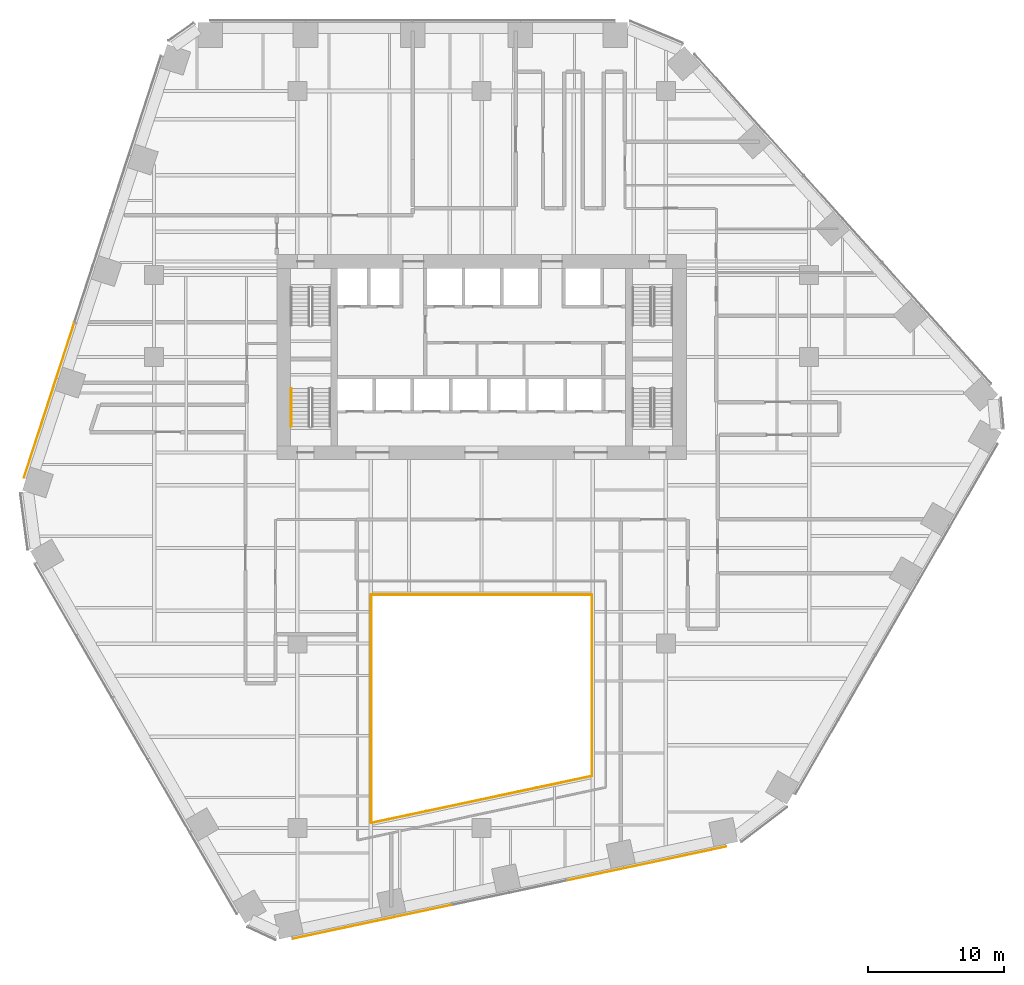
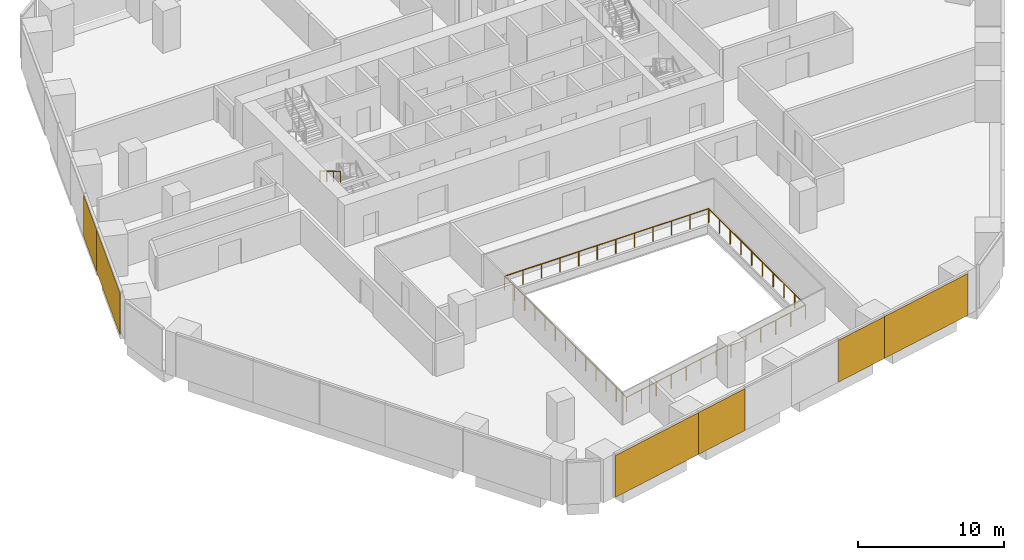
# One storey, part 18 of 21: 6 coverings, 5 railings, 2 elements without a shape of their own.
"""IFC4 building model written with IfcOpenShell, lengths in metres."""

from ifc_helpers import new_model, si_unit, direction, frame, origin, origin_2d, place, context, subcontext, project, spatial, rectangle, circle, extrude, material, layer, layer_set, type_object, element, aggregate, save


model = new_model("IFC4")

# Units and contexts
model_context = context("Model", 3, precision=1e-05, world=origin(), true_north=direction((0.0, 1.0)))
body_context = subcontext(model_context, "Body", "Model", "MODEL_VIEW")
ifc_project = project(units=[si_unit("LENGTHUNIT", "METRE"), si_unit("AREAUNIT", "SQUARE_METRE"), si_unit("VOLUMEUNIT", "CUBIC_METRE"), si_unit("PLANEANGLEUNIT", "RADIAN"), si_unit("MASSUNIT", "GRAM", prefix="KILO")], contexts=[model_context])

# Site, building, storey
site_placement = place(None, origin())
site = spatial("IfcSite", under=ifc_project, at=site_placement, CompositionType="ELEMENT")
building_placement = place(site_placement, origin())
building = spatial("IfcBuilding", under=site, at=building_placement, Name="Isthmus Gate Tower", CompositionType="ELEMENT")
storey_placement = place(building_placement, frame((0.0, 0.0, 50.60009765625)))
storey = spatial("IfcBuildingStorey", under=building, at=storey_placement, Name="L10", CompositionType="ELEMENT", Elevation=50.60009765625)

# Railings
ifc_material_1 = material(Name="Laminated toughened glass balustrade with steel rail", Category="steel")
railing_type_1 = type_object("IfcRailingType", Name="ATRIUM GUARD GLASS BALUSTRADE 1200", PredefinedType="GUARDRAIL", material=ifc_material_1)
railing_1_placement = place(storey_placement, frame((-8.080078125, -26.642822265625, 0.0)))
element("IfcRailing", 1, at=railing_1_placement, inside=storey, type_object=railing_type_1, Name="L10 atrium guard", PredefinedType="GUARDRAIL", context=body_context, shape_type="SweptSolid", body=[
    extrude(circle(Radius=0.02490234375, at=origin_2d()), frame((0.0, 0.0, 1.1748046875), z_axis=(0.0, 1.0, 0.0), x_axis=(-1.0, 0.0, 0.0)), (0.0, 0.0, 1.0), 16.722900390625),
    extrude(circle(Radius=0.02490234375, at=origin_2d()), origin(), (0.0, 0.0, 1.0), 1.14990234375),
    extrude(circle(Radius=0.02490234375, at=origin_2d()), frame((0.0, 1.3935546875, 0.0)), (0.0, 0.0, 1.0), 1.14990234375),
    extrude(circle(Radius=0.02490234375, at=origin_2d()), frame((0.0, 2.787109375, 0.0)), (0.0, 0.0, 1.0), 1.14990234375),
    extrude(circle(Radius=0.02490234375, at=origin_2d()), frame((0.0, 4.1806640625, 0.0)), (0.0, 0.0, 1.0), 1.14990234375),
    extrude(circle(Radius=0.02490234375, at=origin_2d()), frame((0.0, 5.57421875, 0.0)), (0.0, 0.0, 1.0), 1.14990234375),
    extrude(circle(Radius=0.02490234375, at=origin_2d()), frame((0.0, 6.9677734375, 0.0)), (0.0, 0.0, 1.0), 1.14990234375),
    extrude(circle(Radius=0.02490234375, at=origin_2d()), frame((0.0, 8.361328125, 0.0)), (0.0, 0.0, 1.0), 1.14990234375),
    extrude(circle(Radius=0.02490234375, at=origin_2d()), frame((0.0, 9.755126953125, 0.0)), (0.0, 0.0, 1.0), 1.14990234375),
    extrude(circle(Radius=0.02490234375, at=origin_2d()), frame((0.0, 11.148681640625, 0.0)), (0.0, 0.0, 1.0), 1.14990234375),
    extrude(circle(Radius=0.02490234375, at=origin_2d()), frame((0.0, 12.542236328125, 0.0)), (0.0, 0.0, 1.0), 1.14990234375),
    extrude(circle(Radius=0.02490234375, at=origin_2d()), frame((0.0, 13.935791015625, 0.0)), (0.0, 0.0, 1.0), 1.14990234375),
    extrude(circle(Radius=0.02490234375, at=origin_2d()), frame((0.0, 15.329345703125, 0.0)), (0.0, 0.0, 1.0), 1.14990234375),
    extrude(circle(Radius=0.02490234375, at=origin_2d()), frame((0.0, 16.722900390625, 0.0)), (0.0, 0.0, 1.0), 1.14990234375),
])
railing_2_placement = place(storey_placement, frame((-8.080078125, -9.919921875, 0.0)))
element("IfcRailing", 2, at=railing_2_placement, inside=storey, type_object=railing_type_1, Name="L10 atrium guard", PredefinedType="GUARDRAIL", context=body_context, shape_type="SweptSolid", body=[
    extrude(circle(Radius=0.02490234375, at=origin_2d()), frame((0.0, 0.0, 1.1748046875), z_axis=(1.0, 0.0, 0.0), x_axis=(0.0, 1.0, 0.0)), (0.0, 0.0, 1.0), 16.16015625),
    extrude(circle(Radius=0.02490234375, at=origin_2d()), origin(), (0.0, 0.0, 1.0), 1.14990234375),
    extrude(circle(Radius=0.02490234375, at=origin_2d()), frame((1.468994140625, 0.0, 0.0)), (0.0, 0.0, 1.0), 1.14990234375),
    extrude(circle(Radius=0.02490234375, at=origin_2d()), frame((2.938232421875, 0.0, 0.0)), (0.0, 0.0, 1.0), 1.14990234375),
    extrude(circle(Radius=0.02490234375, at=origin_2d()), frame((4.4072265625, 0.0, 0.0)), (0.0, 0.0, 1.0), 1.14990234375),
    extrude(circle(Radius=0.02490234375, at=origin_2d()), frame((5.87646484375, 0.0, 0.0)), (0.0, 0.0, 1.0), 1.14990234375),
    extrude(circle(Radius=0.02490234375, at=origin_2d()), frame((7.345458984375, 0.0, 0.0)), (0.0, 0.0, 1.0), 1.14990234375),
    extrude(circle(Radius=0.02490234375, at=origin_2d()), frame((8.814697265625, 0.0, 0.0)), (0.0, 0.0, 1.0), 1.14990234375),
    extrude(circle(Radius=0.02490234375, at=origin_2d()), frame((10.28369140625, 0.0, 0.0)), (0.0, 0.0, 1.0), 1.14990234375),
    extrude(circle(Radius=0.02490234375, at=origin_2d()), frame((11.7529296875, 0.0, 0.0)), (0.0, 0.0, 1.0), 1.14990234375),
    extrude(circle(Radius=0.02490234375, at=origin_2d()), frame((13.221923828125, 0.0, 0.0)), (0.0, 0.0, 1.0), 1.14990234375),
    extrude(circle(Radius=0.02490234375, at=origin_2d()), frame((14.691162109375, 0.0, 0.0)), (0.0, 0.0, 1.0), 1.14990234375),
    extrude(circle(Radius=0.02490234375, at=origin_2d()), frame((16.16015625, 0.0, 0.0)), (0.0, 0.0, 1.0), 1.14990234375),
])
railing_3_placement = place(storey_placement, frame((8.080078125, -9.919921875, 0.0)))
element("IfcRailing", 3, at=railing_3_placement, inside=storey, type_object=railing_type_1, Name="L10 atrium guard", PredefinedType="GUARDRAIL", context=body_context, shape_type="SweptSolid", body=[
    extrude(circle(Radius=0.02490234375, at=origin_2d()), frame((0.0, 0.0, 1.1748046875), z_axis=(0.0, -1.0, 0.0), x_axis=(1.0, 0.0, 0.0)), (0.0, 0.0, 1.0), 13.2880859375),
    extrude(circle(Radius=0.02490234375, at=origin_2d()), origin(), (0.0, 0.0, 1.0), 1.14990234375),
    extrude(circle(Radius=0.02490234375, at=origin_2d()), frame((0.0, -1.4765625, 0.0)), (0.0, 0.0, 1.0), 1.14990234375),
    extrude(circle(Radius=0.02490234375, at=origin_2d()), frame((0.0, -2.952880859375, 0.0)), (0.0, 0.0, 1.0), 1.14990234375),
    extrude(circle(Radius=0.02490234375, at=origin_2d()), frame((0.0, -4.429443359375, 0.0)), (0.0, 0.0, 1.0), 1.14990234375),
    extrude(circle(Radius=0.02490234375, at=origin_2d()), frame((0.0, -5.90576171875, 0.0)), (0.0, 0.0, 1.0), 1.14990234375),
    extrude(circle(Radius=0.02490234375, at=origin_2d()), frame((0.0, -7.38232421875, 0.0)), (0.0, 0.0, 1.0), 1.14990234375),
    extrude(circle(Radius=0.02490234375, at=origin_2d()), frame((0.0, -8.858642578125, 0.0)), (0.0, 0.0, 1.0), 1.14990234375),
    extrude(circle(Radius=0.02490234375, at=origin_2d()), frame((0.0, -10.335205078125, 0.0)), (0.0, 0.0, 1.0), 1.14990234375),
    extrude(circle(Radius=0.02490234375, at=origin_2d()), frame((0.0, -11.8115234375, 0.0)), (0.0, 0.0, 1.0), 1.14990234375),
    extrude(circle(Radius=0.02490234375, at=origin_2d()), frame((0.0, -13.2880859375, 0.0)), (0.0, 0.0, 1.0), 1.14990234375),
])
railing_4_placement = place(storey_placement, frame((8.080078125, -23.2080078125, 0.0)))
element("IfcRailing", 4, at=railing_4_placement, inside=storey, type_object=railing_type_1, Name="L10 atrium guard", PredefinedType="GUARDRAIL", context=body_context, shape_type="SweptSolid", body=[
    extrude(circle(Radius=0.02490234375, at=origin_2d()), frame((0.0, 0.0, 1.1748046875), z_axis=(-0.978149235358, -0.207904000366, 0.0), x_axis=(0.207904000366, -0.978149235358, 0.0)), (0.0, 0.0, 1.0), 16.521240234375),
    extrude(circle(Radius=0.02490234375, at=origin_2d()), origin(), (0.0, 0.0, 1.0), 1.14990234375),
    extrude(circle(Radius=0.02490234375, at=origin_2d()), frame((-1.3466796875, -0.2861328125, 0.0)), (0.0, 0.0, 1.0), 1.14990234375),
    extrude(circle(Radius=0.02490234375, at=origin_2d()), frame((-2.693359375, -0.572509765625, 0.0)), (0.0, 0.0, 1.0), 1.14990234375),
    extrude(circle(Radius=0.02490234375, at=origin_2d()), frame((-4.0400390625, -0.858642578125, 0.0)), (0.0, 0.0, 1.0), 1.14990234375),
    extrude(circle(Radius=0.02490234375, at=origin_2d()), frame((-5.38671875, -1.14501953125, 0.0)), (0.0, 0.0, 1.0), 1.14990234375),
    extrude(circle(Radius=0.02490234375, at=origin_2d()), frame((-6.7333984375, -1.43115234375, 0.0)), (0.0, 0.0, 1.0), 1.14990234375),
    extrude(circle(Radius=0.02490234375, at=origin_2d()), frame((-8.080078125, -1.71728515625, 0.0)), (0.0, 0.0, 1.0), 1.14990234375),
    extrude(circle(Radius=0.02490234375, at=origin_2d()), frame((-9.4267578125, -2.003662109375, 0.0)), (0.0, 0.0, 1.0), 1.14990234375),
    extrude(circle(Radius=0.02490234375, at=origin_2d()), frame((-10.7734375, -2.289794921875, 0.0)), (0.0, 0.0, 1.0), 1.14990234375),
    extrude(circle(Radius=0.02490234375, at=origin_2d()), frame((-12.1201171875, -2.576171875, 0.0)), (0.0, 0.0, 1.0), 1.14990234375),
    extrude(circle(Radius=0.02490234375, at=origin_2d()), frame((-13.466796875, -2.8623046875, 0.0)), (0.0, 0.0, 1.0), 1.14990234375),
    extrude(circle(Radius=0.02490234375, at=origin_2d()), frame((-14.8134765625, -3.148681640625, 0.0)), (0.0, 0.0, 1.0), 1.14990234375),
    extrude(circle(Radius=0.02490234375, at=origin_2d()), frame((-16.16015625, -3.434814453125, 0.0)), (0.0, 0.0, 1.0), 1.14990234375),
])

# Curtain wall, coverings
ifc_material_2 = material(Name="Aluminium, pale champagne anodised", Category="aluminium")
ifc_layer_1 = layer(ifc_material_2, 0.199951171875)
ifc_layer_set_1 = layer_set([ifc_layer_1], Name="CW-1 UNITISED CURTAIN WALL 200 DEEP")
curtain_wall_type = type_object("IfcCurtainWallType", Name="CW-1 UNITISED CURTAIN WALL 200 DEEP", PredefinedType="NOTDEFINED", material=ifc_layer_set_1)
curtain_wall_1_placement = place(storey_placement, origin())
curtain_wall_1 = element("IfcCurtainWall", 5, at=curtain_wall_1_placement, inside=storey, type_object=curtain_wall_type, Name="CW-1 NW L10", PredefinedType="NOTDEFINED")
ifc_material_3 = material(Name="Aluminium composite panel, pale champagne anodised", Category="aluminium")
ifc_layer_2 = layer(ifc_material_3, 0.0400390625)
ifc_layer_set_2 = layer_set([ifc_layer_2], Name="CW-1 PALE METAL PANEL 40")
covering_type = type_object("IfcCoveringType", Name="CW-1 PALE METAL PANEL 40", PredefinedType="CLADDING", material=ifc_layer_set_2)
covering_1_placement = place(storey_placement, frame((-30.5087890625, 7.9775390625, 0.0), z_axis=(0.0, 0.0, 1.0), x_axis=(-0.309016994375, -0.951056516295, 0.0)))
covering_1 = element("IfcCovering", 6, at=covering_1_placement, type_object=covering_type, Name="CW-1 pale metal panel", PredefinedType="CLADDING", context=body_context, shape_type="SweptSolid", body=[
    extrude(rectangle(XDim=4.234619140625, YDim=0.0400390625, at=origin_2d()), origin(), (0.0, 0.0, 1.0), 3.5),
])
covering_2_placement = place(storey_placement, frame((-32.35107421875, 2.30712890625, 0.0), z_axis=(0.0, 0.0, 1.0), x_axis=(-0.309016994375, -0.951056516295, 0.0)))
covering_2 = element("IfcCovering", 7, at=covering_2_placement, type_object=covering_type, Name="CW-1 pale metal panel", PredefinedType="CLADDING", context=body_context, shape_type="SweptSolid", body=[
    extrude(rectangle(XDim=7.689453125, YDim=0.0400390625, at=origin_2d()), origin(), (0.0, 0.0, 1.0), 3.5),
])
aggregate(curtain_wall_1, [covering_1, covering_2])

curtain_wall_2_placement = place(storey_placement, origin())
curtain_wall_2 = element("IfcCurtainWall", 8, at=curtain_wall_2_placement, inside=storey, type_object=curtain_wall_type, Name="CW-1 S L10", PredefinedType="NOTDEFINED")
covering_3_placement = place(storey_placement, frame((-10.117919921875, -34.334716796875, 0.0), z_axis=(0.0, 0.0, 1.0), x_axis=(0.978147600734, 0.207911690818, 0.0)))
covering_3 = element("IfcCovering", 9, at=covering_3_placement, type_object=covering_type, Name="CW-1 pale metal panel", PredefinedType="CLADDING", context=body_context, shape_type="SweptSolid", body=[
    extrude(rectangle(XDim=7.62939453125, YDim=0.0400390625, at=origin_2d()), origin(), (0.0, 0.0, 1.0), 3.5),
])
covering_4_placement = place(storey_placement, frame((-4.2861328125, -33.094970703125, 0.0), z_axis=(0.0, 0.0, 1.0), x_axis=(0.978147600734, 0.207911690818, 0.0)))
covering_4 = element("IfcCovering", 10, at=covering_4_placement, type_object=covering_type, Name="CW-1 pale metal panel", PredefinedType="CLADDING", context=body_context, shape_type="SweptSolid", body=[
    extrude(rectangle(XDim=4.294677734375, YDim=0.0400390625, at=origin_2d()), origin(), (0.0, 0.0, 1.0), 3.5),
])
covering_5_placement = place(storey_placement, frame((8.345703125, -30.41015625, 0.0), z_axis=(0.0, 0.0, 1.0), x_axis=(0.978147600734, 0.207911690818, 0.0)))
covering_5 = element("IfcCovering", 11, at=covering_5_placement, type_object=covering_type, Name="CW-1 pale metal panel", PredefinedType="CLADDING", context=body_context, shape_type="SweptSolid", body=[
    extrude(rectangle(XDim=4.234619140625, YDim=0.0400390625, at=origin_2d()), origin(), (0.0, 0.0, 1.0), 3.5),
])
covering_6_placement = place(storey_placement, frame((14.177490234375, -29.17041015625, 0.0), z_axis=(0.0, 0.0, 1.0), x_axis=(0.978147600734, 0.207911690818, 0.0)))
covering_6 = element("IfcCovering", 12, at=covering_6_placement, type_object=covering_type, Name="CW-1 pale metal panel", PredefinedType="CLADDING", context=body_context, shape_type="SweptSolid", body=[
    extrude(rectangle(XDim=7.689453125, YDim=0.0400390625, at=origin_2d()), origin(), (0.0, 0.0, 1.0), 3.5),
])
aggregate(curtain_wall_2, [covering_3, covering_4, covering_5, covering_6])

# Railing
ifc_material_4 = material(Name="Stainless steel handrail", Category="steel")
railing_type_2 = type_object("IfcRailingType", Name="STAIR HANDRAIL 900", PredefinedType="HANDRAIL", material=ifc_material_4)
railing_5_placement = place(storey_placement, frame((-13.949951171875, 5.199951171875, 1.99072265625)))
element("IfcRailing", 13, at=railing_5_placement, inside=storey, type_object=railing_type_2, Name="L10 ST7 stair handrail 2", PredefinedType="HANDRAIL", context=body_context, shape_type="SweptSolid", body=[
    extrude(circle(Radius=0.02392578125, at=origin_2d()), frame((0.0, 0.0, 0.8759765625), z_axis=(0.0, -0.860306154799, 0.50977771628), x_axis=(1.0, 0.0, 0.0)), (0.0, 0.0, 1.0), 3.254638671875),
    extrude(circle(Radius=0.02099609375, at=origin_2d()), origin(), (0.0, 0.0, 1.0), 0.851806640625),
    extrude(circle(Radius=0.02099609375, at=origin_2d()), frame((0.0, -0.933349609375, 0.552978515625)), (0.0, 0.0, 1.0), 0.851806640625),
    extrude(circle(Radius=0.02099609375, at=origin_2d()), frame((0.0, -1.86669921875, 1.106201171875)), (0.0, 0.0, 1.0), 0.851806640625),
    extrude(circle(Radius=0.02099609375, at=origin_2d()), frame((0.0, -2.800048828125, 1.6591796875)), (0.0, 0.0, 1.0), 0.851806640625),
])

save(model, "model.ifc")
